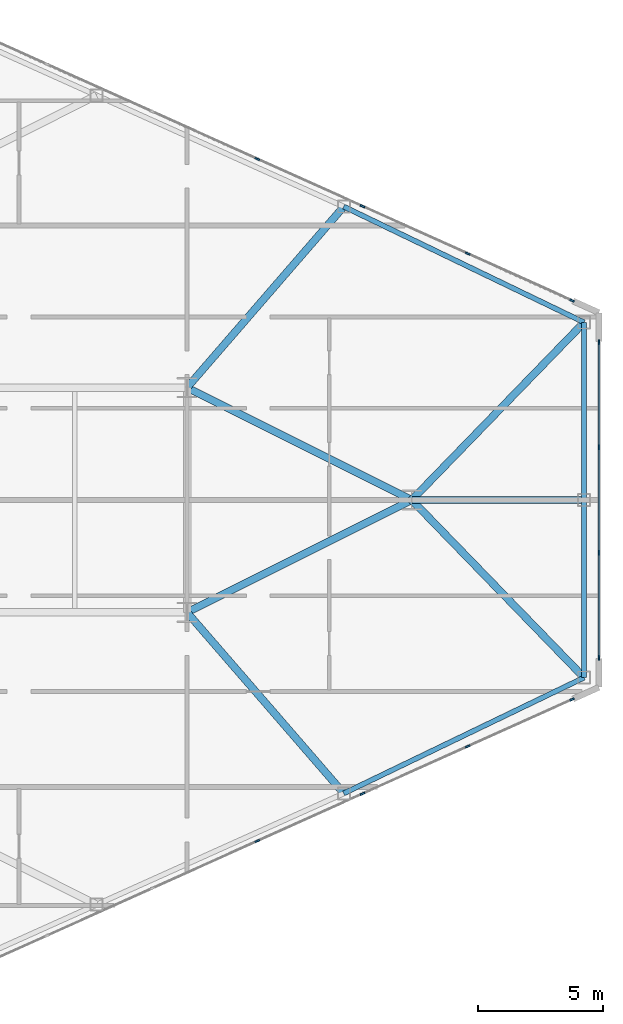
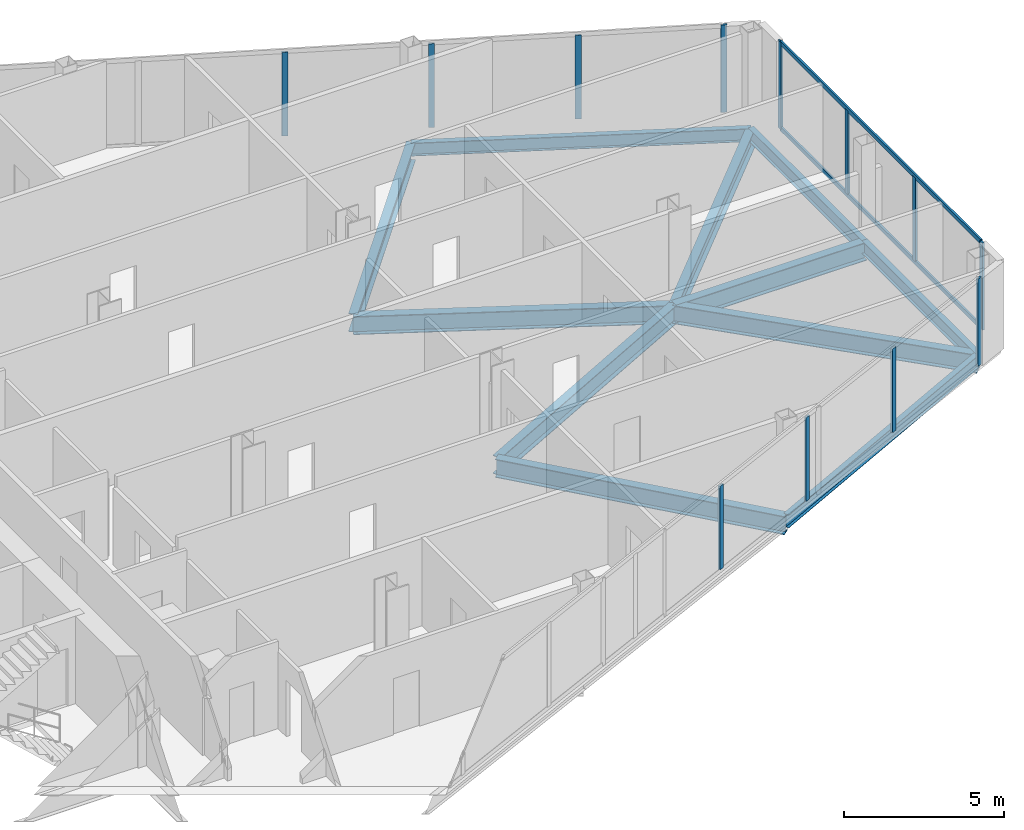
# One storey, part 16 of 27: 14 members, 11 beams, 3 elements without a shape of their own.
"""IFC4 building model written with IfcOpenShell, lengths in metres."""

from ifc_helpers import new_model, si_unit, direction, frame, origin, origin_2d, place, context, subcontext, project, spatial, rectangle, i_section, extrude, source, transform, mapped, material, layer, layer_set, material_profile, profile_set, type_object, type_shapes, element, aggregate, save


model = new_model("IFC4")

# Units and contexts
model_context = context("Model", 3, precision=1e-05, world=origin(), true_north=direction((0.0, 1.0)))
body_context = subcontext(model_context, "Body", "Model", "MODEL_VIEW")
ifc_project = project(units=[si_unit("LENGTHUNIT", "METRE"), si_unit("AREAUNIT", "SQUARE_METRE"), si_unit("VOLUMEUNIT", "CUBIC_METRE"), si_unit("PLANEANGLEUNIT", "RADIAN"), si_unit("MASSUNIT", "GRAM", prefix="KILO")], contexts=[model_context])

# Site, building, storey
site_placement = place(None, origin())
site = spatial("IfcSite", under=ifc_project, at=site_placement, CompositionType="ELEMENT")
building_placement = place(site_placement, origin())
building = spatial("IfcBuilding", under=site, at=building_placement, Name="Seokmaru Belvedere", CompositionType="ELEMENT")
storey_placement = place(building_placement, frame((0.0, 0.0, 83.699951171875)))
storey = spatial("IfcBuildingStorey", under=building, at=storey_placement, Name="L22", CompositionType="ELEMENT", Elevation=83.699951171875)

# Beams
ifc_material_1 = material(Name="Steel SM355 (355 MPa)", Category="steel")
ifc_material_profile_1 = material_profile(ifc_material_1, i_section(OverallWidth=0.300048828125, OverallDepth=0.699951171875, WebThickness=0.012939453125, FlangeThickness=0.02392578125, at=origin_2d()), Name="H-700x300x13x24")
ifc_profile_set_1 = profile_set([ifc_material_profile_1], Name="Steel SM355 (355 MPa)")
beam_type_1 = type_object("IfcBeamType", Name="Primary Floor Girder H-700", PredefinedType="BEAM", material=ifc_profile_set_1)
shared_shape_1 = source(origin(), body_context, "Body", "SweptSolid", [
    extrude(i_section(OverallWidth=0.300048828125, OverallDepth=0.699951171875, WebThickness=0.012939453125, FlangeThickness=0.02392578125, at=origin_2d()), origin(), (0.0, 0.0, 1.0), 10.062255859375),
])
for number, where, z_axis, x_axis, name in (
    (1, (54.5, -4.5, -0.570068359375), (0.894427191, 0.4472135955, 0.0), (-0.4472135955, 0.894427191, 0.0), "L22 E Apex Converging Girder 1"),
    (2, (54.5, 4.5, -0.570068359375), (0.894427191, -0.4472135955, 0.0), (0.4472135955, 0.894427191, 0.0), "L22 E Apex Converging Girder 2"),
):
    element("IfcBeam", number, at=place(storey_placement, frame(where, z_axis=z_axis, x_axis=x_axis)), inside=storey, type_object=beam_type_1, Name=name, PredefinedType="BEAM", context=body_context, shape_type="MappedRepresentation", body=[
        mapped(shared_shape_1, transform((0.0, 0.0, 0.0), scale=1.0)),
    ])
ifc_material_profile_2 = material_profile(ifc_material_1, i_section(OverallWidth=0.199951171875, OverallDepth=0.5, WebThickness=0.010009765625, FlangeThickness=0.01611328125, at=origin_2d()), Name="H-500x200x10x16")
ifc_profile_set_2 = profile_set([ifc_material_profile_2], Name="Steel SM355 (355 MPa)")
beam_type_2 = type_object("IfcBeamType", Name="Perimeter Spandrel Beam H-500", PredefinedType="SPANDREL", material=ifc_profile_set_2)
shared_shape_2 = source(origin(), body_context, "Body", "SweptSolid", [
    extrude(i_section(OverallWidth=0.199951171875, OverallDepth=0.5, WebThickness=0.010009765625, FlangeThickness=0.01611328125, at=origin_2d()), origin(), (0.0, 0.0, 1.0), 10.681396484375),
])
for number, where, z_axis, x_axis, name in (
    (3, (60.777587890625, -11.749267578125, -0.469970703125), (0.900846426616, 0.434137899352, 0.0), (-0.434137899352, 0.900846426616, 0.0), "L22 E Faceted Flank Spandrel S-4"),
    (4, (60.777587890625, 11.749267578125, -0.469970703125), (0.900846426616, -0.434137899352, 0.0), (0.434137899352, 0.900846426616, 0.0), "L22 E Faceted Flank Spandrel N-4"),
):
    element("IfcBeam", number, at=place(storey_placement, frame(where, z_axis=z_axis, x_axis=x_axis)), inside=storey, type_object=beam_type_2, Name=name, PredefinedType="SPANDREL", context=body_context, shape_type="MappedRepresentation", body=[
        mapped(shared_shape_2, transform((0.0, 0.0, 0.0), scale=1.0)),
    ])
shared_shape_3 = source(origin(), body_context, "Body", "SweptSolid", [
    extrude(i_section(OverallWidth=0.199951171875, OverallDepth=0.5, WebThickness=0.010009765625, FlangeThickness=0.01611328125, at=origin_2d()), origin(), (0.0, 0.0, 1.0), 7.112060546875),
])
type_shapes(beam_type_2, [shared_shape_2, shared_shape_3])
for number, where, z_axis, x_axis, name in (
    (5, (70.39990234375, -7.112060546875, -0.469970703125), (0.0, 1.0, 0.0), (-1.0, 0.0, 0.0), "L22 E Faceted Apex Spandrel S"),
    (6, (70.39990234375, 0.0, -0.469970703125), (0.0, 1.0, 0.0), (-1.0, 0.0, 0.0), "L22 E Faceted Apex Spandrel N"),
):
    element("IfcBeam", number, at=place(storey_placement, frame(where, z_axis=z_axis, x_axis=x_axis)), inside=storey, type_object=beam_type_2, Name=name, PredefinedType="SPANDREL", context=body_context, shape_type="MappedRepresentation", body=[
        mapped(shared_shape_3, transform((0.0, 0.0, 0.0), scale=1.0)),
    ])
shared_shape_4 = source(origin(), body_context, "Body", "SweptSolid", [
    extrude(i_section(OverallWidth=0.300048828125, OverallDepth=0.699951171875, WebThickness=0.012939453125, FlangeThickness=0.02392578125, at=origin_2d()), origin(), (0.0, 0.0, 1.0), 9.589599609375),
])
for number, where, z_axis, x_axis, name in (
    (7, (60.777587890625, -11.749267578125, -0.570068359375), (-0.654626140929, 0.755952786629, 0.0), (-0.755952786629, -0.654626140929, 0.0), "L22 E Flank Radial Floor Girder S-3"),
    (8, (60.777587890625, 11.749267578125, -0.570068359375), (-0.654626140929, -0.755952786629, 0.0), (0.755952786629, -0.654626140929, 0.0), "L22 E Flank Radial Floor Girder N-3"),
):
    element("IfcBeam", number, at=place(storey_placement, frame(where, z_axis=z_axis, x_axis=x_axis)), inside=storey, type_object=beam_type_1, Name=name, PredefinedType="BEAM", context=body_context, shape_type="MappedRepresentation", body=[
        mapped(shared_shape_4, transform((0.0, 0.0, 0.0), scale=1.0)),
    ])
shared_shape_5 = source(origin(), body_context, "Body", "SweptSolid", [
    extrude(i_section(OverallWidth=0.300048828125, OverallDepth=0.699951171875, WebThickness=0.012939453125, FlangeThickness=0.02392578125, at=origin_2d()), origin(), (0.0, 0.0, 1.0), 9.9091796875),
])
for number, where, z_axis, x_axis, name in (
    (9, (70.39990234375, -7.112060546875, -0.570068359375), (-0.6963205089, 0.717730972499, 0.0), (-0.717730972499, -0.6963205089, 0.0), "L22 E Apex Radial Floor Girder 1"),
    (10, (70.39990234375, 7.112060546875, -0.570068359375), (-0.6963205089, -0.717730972499, 0.0), (0.717730972499, -0.6963205089, 0.0), "L22 E Apex Radial Floor Girder 2"),
):
    element("IfcBeam", number, at=place(storey_placement, frame(where, z_axis=z_axis, x_axis=x_axis)), inside=storey, type_object=beam_type_1, Name=name, PredefinedType="BEAM", context=body_context, shape_type="MappedRepresentation", body=[
        mapped(shared_shape_5, transform((0.0, 0.0, 0.0), scale=1.0)),
    ])
shared_shape_6 = source(origin(), body_context, "Body", "SweptSolid", [
    extrude(i_section(OverallWidth=0.300048828125, OverallDepth=0.699951171875, WebThickness=0.012939453125, FlangeThickness=0.02392578125, at=origin_2d()), origin(), (0.0, 0.0, 1.0), 6.89990234375),
])
type_shapes(beam_type_1, [shared_shape_1, shared_shape_4, shared_shape_5, shared_shape_6])
beam_placement = place(storey_placement, frame((70.39990234375, 0.0, -0.570068359375), z_axis=(-1.0, 0.0, 0.0), x_axis=(0.0, -1.0, 0.0)))
element("IfcBeam", 11, at=beam_placement, inside=storey, type_object=beam_type_1, Name="L22 E Apex Center Radial Girder", PredefinedType="BEAM", context=body_context, shape_type="MappedRepresentation", body=[
    mapped(shared_shape_6, transform((0.0, 0.0, 0.0), scale=1.0)),
])

# Curtain wall, members
ifc_material_2 = material(Name="Bronze Triple Insulating Glass", Category="glass")
ifc_layer = layer(ifc_material_2, 0.195068359375)
ifc_layer_set = layer_set([ifc_layer], Name="Bronze Triple Insulating Glass")
curtain_wall_type = type_object("IfcCurtainWallType", Name="Lower-Mid Tapered Curtain Wall System CW-3", PredefinedType="NOTDEFINED", material=ifc_layer_set)
curtain_wall_1_placement = place(storey_placement, origin())
curtain_wall_1 = element("IfcCurtainWall", 12, at=curtain_wall_1_placement, inside=storey, type_object=curtain_wall_type, Name="L22 Curtain Wall EF2", PredefinedType="NOTDEFINED")
ifc_material_3 = material(Name="Anodised Bronze Aluminium", Category="aluminium")
ifc_material_profile_3 = material_profile(ifc_material_3, rectangle(XDim=0.070068359375, YDim=0.1650390625, at=origin_2d()), Name="CW-T-70x165")
ifc_profile_set_3 = profile_set([ifc_material_profile_3], Name="Anodised Bronze Aluminium")
member_type_1 = type_object("IfcMemberType", Name="Bronze Unitised Transom 70x165", PredefinedType="USERDEFINED", material=ifc_profile_set_3)
shared_shape_7 = source(origin(), body_context, "Body", "SweptSolid", [
    extrude(rectangle(XDim=0.070068359375, YDim=0.1650390625, at=origin_2d()), origin(), (0.0, 0.0, 1.0), 12.56005859375),
])
type_shapes(member_type_1, [shared_shape_7])
member_1_placement = place(storey_placement, frame((71.0, -6.280029296875, 0.03515625), z_axis=(0.0, 1.0, 0.0), x_axis=(-1.0, 0.0, 0.0)))
member_1 = element("IfcMember", 13, at=member_1_placement, type_object=member_type_1, Name="CW:L22:EF2 Continuous Transom 1", ObjectType="TRANSOM", PredefinedType="USERDEFINED", context=body_context, shape_type="MappedRepresentation", body=[
    mapped(shared_shape_7, transform((0.0, 0.0, 0.0), scale=1.0)),
])
member_2_placement = place(storey_placement, frame((71.0, -6.280029296875, 3.304931640625), z_axis=(0.0, 1.0, 0.0), x_axis=(-1.0, 0.0, 0.0)))
member_2 = element("IfcMember", 14, at=member_2_placement, type_object=member_type_1, Name="CW:L22:EF2 Continuous Transom 2", ObjectType="TRANSOM", PredefinedType="USERDEFINED", context=body_context, shape_type="MappedRepresentation", body=[
    mapped(shared_shape_7, transform((0.0, 0.0, 0.0), scale=1.0)),
])

# Curtain wall, member
curtain_wall_2_placement = place(storey_placement, origin())
curtain_wall_2 = element("IfcCurtainWall", 15, at=curtain_wall_2_placement, inside=storey, type_object=curtain_wall_type, Name="L22 Curtain Wall EF1", PredefinedType="NOTDEFINED")
ifc_material_profile_4 = material_profile(ifc_material_3, rectangle(XDim=0.070068359375, YDim=0.195068359375, at=origin_2d()), Name="CW-M-70x195")
ifc_profile_set_4 = profile_set([ifc_material_profile_4], Name="Anodised Bronze Aluminium")
member_type_2 = type_object("IfcMemberType", Name="Bronze Unitised Mullion 70x195", PredefinedType="MULLION", material=ifc_profile_set_4)
shared_shape_8 = source(origin(), body_context, "Body", "SweptSolid", [
    extrude(rectangle(XDim=0.070068359375, YDim=0.195068359375, at=origin_2d()), origin(), (0.0, 0.0, 1.0), 3.340087890625),
])
member_3_placement = place(storey_placement, frame((69.91943359375, -7.986328125, 0.0), z_axis=(0.0, 0.0, 1.0), x_axis=(-0.41036554765, 0.91192111353, 0.0)))
member_3 = element("IfcMember", 16, at=member_3_placement, type_object=member_type_2, Name="CW:L22:EF1 Mullion 10", PredefinedType="MULLION", context=body_context, shape_type="MappedRepresentation", body=[
    mapped(shared_shape_8, transform((0.0, 0.0, 0.0), scale=1.0)),
])

# Member
member_4_placement = place(storey_placement, frame((71.0, -6.31494140625, 0.0), z_axis=(0.0, 0.0, 1.0), x_axis=(-1.0, 0.0, 0.0)))
member_4 = element("IfcMember", 17, at=member_4_placement, type_object=member_type_2, Name="CW:L22:EF2 Mullion 1", PredefinedType="MULLION", context=body_context, shape_type="MappedRepresentation", body=[
    mapped(shared_shape_8, transform((0.0, 0.0, 0.0), scale=1.0)),
])

member_5_placement = place(storey_placement, frame((71.0, 6.31494140625, 0.0), z_axis=(0.0, 0.0, 1.0), x_axis=(-1.0, 0.0, 0.0)))
member_5 = element("IfcMember", 18, at=member_5_placement, type_object=member_type_2, Name="CW:L22:EF2 Mullion 4", PredefinedType="MULLION", context=body_context, shape_type="MappedRepresentation", body=[
    mapped(shared_shape_8, transform((0.0, 0.0, 0.0), scale=1.0)),
])

# Curtain wall, member
curtain_wall_3_placement = place(storey_placement, origin())
curtain_wall_3 = element("IfcCurtainWall", 19, at=curtain_wall_3_placement, inside=storey, type_object=curtain_wall_type, Name="L22 Curtain Wall EF3", PredefinedType="NOTDEFINED")
member_6_placement = place(storey_placement, frame((69.91943359375, 7.986328125, 0.0), z_axis=(0.0, 0.0, 1.0), x_axis=(-0.41036554765, -0.91192111353, 0.0)))
member_6 = element("IfcMember", 20, at=member_6_placement, type_object=member_type_2, Name="CW:L22:EF3 Mullion 1", PredefinedType="MULLION", context=body_context, shape_type="MappedRepresentation", body=[
    mapped(shared_shape_8, transform((0.0, 0.0, 0.0), scale=1.0)),
])

# Member
shared_shape_9 = source(origin(), body_context, "Body", "SweptSolid", [
    extrude(rectangle(XDim=0.070068359375, YDim=0.195068359375, at=origin_2d()), origin(), (0.0, 0.0, 1.0), 3.199951171875),
])
type_shapes(member_type_2, [shared_shape_8, shared_shape_9])
member_7_placement = place(storey_placement, frame((57.317138671875, -13.6572265625, 0.070068359375), z_axis=(0.0, 0.0, 1.0), x_axis=(-0.41036554765, 0.91192111353, 0.0)))
member_7 = element("IfcMember", 21, at=member_7_placement, type_object=member_type_2, Name="CW:L22:EF1 Mullion 7", PredefinedType="MULLION", context=body_context, shape_type="MappedRepresentation", body=[
    mapped(shared_shape_9, transform((0.0, 0.0, 0.0), scale=1.0)),
])

member_8_placement = place(storey_placement, frame((61.528564453125, -11.76220703125, 0.070068359375), z_axis=(0.0, 0.0, 1.0), x_axis=(-0.41036554765, 0.91192111353, 0.0)))
member_8 = element("IfcMember", 22, at=member_8_placement, type_object=member_type_2, Name="CW:L22:EF1 Mullion 8", PredefinedType="MULLION", context=body_context, shape_type="MappedRepresentation", body=[
    mapped(shared_shape_9, transform((0.0, 0.0, 0.0), scale=1.0)),
])

member_9_placement = place(storey_placement, frame((65.739990234375, -9.866943359375, 0.070068359375), z_axis=(0.0, 0.0, 1.0), x_axis=(-0.41036554765, 0.91192111353, 0.0)))
member_9 = element("IfcMember", 23, at=member_9_placement, type_object=member_type_2, Name="CW:L22:EF1 Mullion 9", PredefinedType="MULLION", context=body_context, shape_type="MappedRepresentation", body=[
    mapped(shared_shape_9, transform((0.0, 0.0, 0.0), scale=1.0)),
])

aggregate(curtain_wall_2, [member_7, member_8, member_9, member_3])

member_10_placement = place(storey_placement, frame((71.0, -2.11669921875, 0.070068359375), z_axis=(0.0, 0.0, 1.0), x_axis=(-1.0, 0.0, 0.0)))
member_10 = element("IfcMember", 24, at=member_10_placement, type_object=member_type_2, Name="CW:L22:EF2 Mullion 2", PredefinedType="MULLION", context=body_context, shape_type="MappedRepresentation", body=[
    mapped(shared_shape_9, transform((0.0, 0.0, 0.0), scale=1.0)),
])

member_11_placement = place(storey_placement, frame((71.0, 2.11669921875, 0.070068359375), z_axis=(0.0, 0.0, 1.0), x_axis=(-1.0, 0.0, 0.0)))
member_11 = element("IfcMember", 25, at=member_11_placement, type_object=member_type_2, Name="CW:L22:EF2 Mullion 3", PredefinedType="MULLION", context=body_context, shape_type="MappedRepresentation", body=[
    mapped(shared_shape_9, transform((0.0, 0.0, 0.0), scale=1.0)),
])

aggregate(curtain_wall_1, [member_4, member_10, member_11, member_5, member_1, member_2])

member_12_placement = place(storey_placement, frame((65.739990234375, 9.866943359375, 0.070068359375), z_axis=(0.0, 0.0, 1.0), x_axis=(-0.41036554765, -0.91192111353, 0.0)))
member_12 = element("IfcMember", 26, at=member_12_placement, type_object=member_type_2, Name="CW:L22:EF3 Mullion 2", PredefinedType="MULLION", context=body_context, shape_type="MappedRepresentation", body=[
    mapped(shared_shape_9, transform((0.0, 0.0, 0.0), scale=1.0)),
])

member_13_placement = place(storey_placement, frame((61.528564453125, 11.76220703125, 0.070068359375), z_axis=(0.0, 0.0, 1.0), x_axis=(-0.41036554765, -0.91192111353, 0.0)))
member_13 = element("IfcMember", 27, at=member_13_placement, type_object=member_type_2, Name="CW:L22:EF3 Mullion 3", PredefinedType="MULLION", context=body_context, shape_type="MappedRepresentation", body=[
    mapped(shared_shape_9, transform((0.0, 0.0, 0.0), scale=1.0)),
])

member_14_placement = place(storey_placement, frame((57.317138671875, 13.6572265625, 0.070068359375), z_axis=(0.0, 0.0, 1.0), x_axis=(-0.41036554765, -0.91192111353, 0.0)))
member_14 = element("IfcMember", 28, at=member_14_placement, type_object=member_type_2, Name="CW:L22:EF3 Mullion 4", PredefinedType="MULLION", context=body_context, shape_type="MappedRepresentation", body=[
    mapped(shared_shape_9, transform((0.0, 0.0, 0.0), scale=1.0)),
])

aggregate(curtain_wall_3, [member_6, member_12, member_13, member_14])

save(model, "model.ifc")
